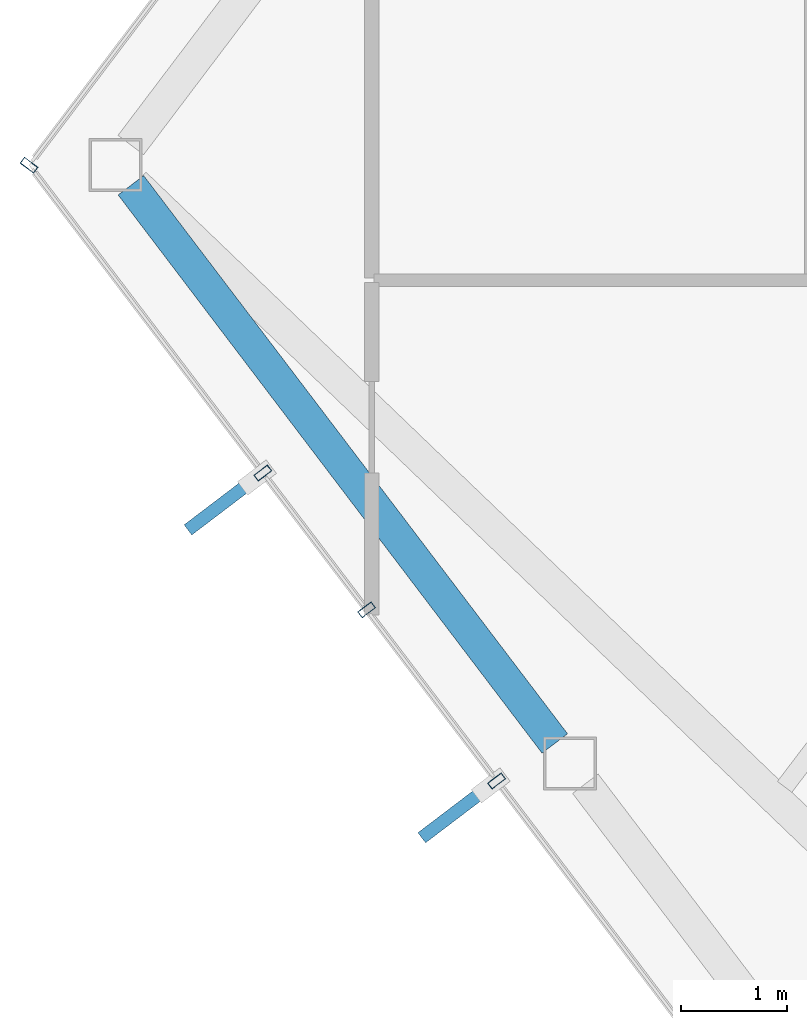
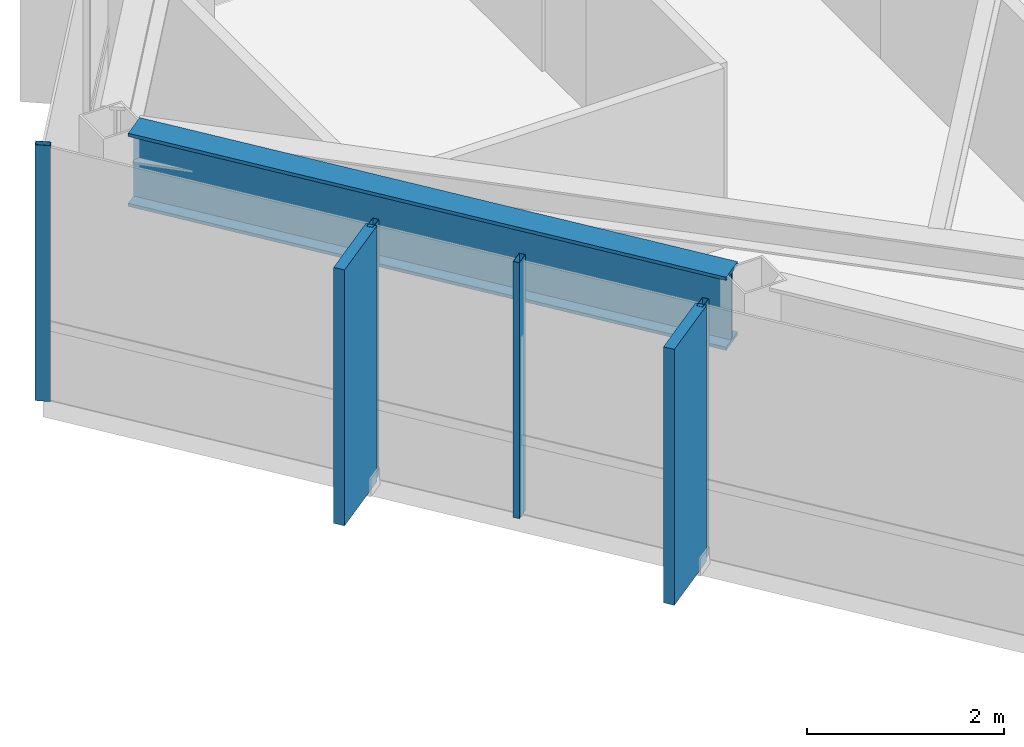
# One storey, part 8 of 24: 6 members, 1 beam, 2 elements without a shape of their own.
"""IFC4 building model written with IfcOpenShell, lengths in metres."""

from ifc_helpers import new_model, si_unit, direction, frame, origin, origin_2d, place, context, subcontext, project, spatial, rectangle, hollow_rectangle, i_section, extrude, material, layer, layer_set, material_profile, profile_set, type_object, element, aggregate, save


model = new_model("IFC4")

# Units and contexts
model_context = context("Model", 3, precision=1e-05, world=origin(), true_north=direction((0.0, 1.0)))
body_context = subcontext(model_context, "Body", "Model", "MODEL_VIEW")
ifc_project = project(units=[si_unit("LENGTHUNIT", "METRE"), si_unit("AREAUNIT", "SQUARE_METRE"), si_unit("VOLUMEUNIT", "CUBIC_METRE"), si_unit("PLANEANGLEUNIT", "RADIAN"), si_unit("MASSUNIT", "GRAM", prefix="KILO")], contexts=[model_context])

# Site, building, storey
site_placement = place(None, origin())
site = spatial("IfcSite", under=ifc_project, at=site_placement, CompositionType="ELEMENT")
building_placement = place(site_placement, origin())
building = spatial("IfcBuilding", under=site, at=building_placement, Name="Zarrinselat Tower", CompositionType="ELEMENT")
storey_placement = place(building_placement, frame((0.0, 0.0, 272.0)))
storey = spatial("IfcBuildingStorey", under=building, at=storey_placement, Name="L69", CompositionType="ELEMENT", Elevation=272.0)

# Beam
ifc_material_1 = material(Name="Steel S460M", Category="steel")
ifc_material_profile_1 = material_profile(ifc_material_1, i_section(OverallWidth=0.302001953125, OverallDepth=0.909912109375, WebThickness=0.02099609375, FlangeThickness=0.0400390625, at=origin_2d()), Name="HEM 900")
ifc_profile_set_1 = profile_set([ifc_material_profile_1], Name="Steel S460M")
beam_type = type_object("IfcBeamType", Name="BM-HEM900", PredefinedType="BEAM", material=ifc_profile_set_1)
beam_placement = place(storey_placement, frame((17.03466796875, 42.392578125, 2.72509765625), z_axis=(0.604794392137, -0.79638165677, 0.0), x_axis=(0.79638165677, 0.604794392137, 0.0)))
element("IfcBeam", 1, at=beam_placement, inside=storey, type_object=beam_type, Name="L69 Perimeter Spandrel Girder SP06", PredefinedType="BEAM", context=body_context, shape_type="SweptSolid", body=[
    extrude(i_section(OverallWidth=0.302001953125, OverallDepth=0.909912109375, WebThickness=0.02099609375, FlangeThickness=0.0400390625, at=origin_2d()), origin(), (0.0, 0.0, 1.0), 6.600830078125),
])

# Curtain wall, member
ifc_material_2 = material(Name="Extruded Aluminium Alloy EN AW-6063 T6", Category="aluminium")
ifc_layer = layer(ifc_material_2, 0.169921875)
ifc_layer_set = layer_set([ifc_layer], Name="Extruded Aluminium Alloy EN AW-6063 T6")
curtain_wall_type = type_object("IfcCurtainWallType", Name="CWS-RES", PredefinedType="NOTDEFINED", material=ifc_layer_set)
curtain_wall_1_placement = place(storey_placement, origin())
curtain_wall_1 = element("IfcCurtainWall", 2, at=curtain_wall_1_placement, inside=storey, type_object=curtain_wall_type, Name="L69 Unitised Curtain Wall CW-L69-E02", PredefinedType="NOTDEFINED")
ifc_material_3 = material(Name="Extruded Aluminium Alloy EN AW-6063 T6", Category="aluminium")
ifc_material_profile_2 = material_profile(ifc_material_3, hollow_rectangle(XDim=0.070068359375, YDim=0.159912109375, WallThickness=0.00390625, at=origin_2d()), Name="RHS 160x70x4")
ifc_profile_set_2 = profile_set([ifc_material_profile_2], Name="Extruded Aluminium Alloy EN AW-6063 T6")
member_type_1 = type_object("IfcMemberType", Name="MEM-CW-MUL2", PredefinedType="MULLION", material=ifc_profile_set_2)
member_1_placement = place(storey_placement, frame((16.0751953125, 42.581298828125, 0.0), z_axis=(0.0, 0.0, 1.0), x_axis=(-0.603180355329, -0.797604826305, 0.0)))
member_1 = element("IfcMember", 3, at=member_1_placement, type_object=member_type_1, Name="CW-L69-E02 Mullion 3", PredefinedType="MULLION", context=body_context, shape_type="SweptSolid", body=[
    extrude(hollow_rectangle(XDim=0.070068359375, YDim=0.159912109375, WallThickness=0.00390625, at=origin_2d()), origin(), (0.0, 0.0, 1.0), 3.179931640625),
])
aggregate(curtain_wall_1, [member_1])

# Curtain wall, members
curtain_wall_2_placement = place(storey_placement, origin())
curtain_wall_2 = element("IfcCurtainWall", 4, at=curtain_wall_2_placement, inside=storey, type_object=curtain_wall_type, Name="L69 Unitised Curtain Wall CW-L69-E03", PredefinedType="NOTDEFINED")
member_2_placement = place(storey_placement, frame((18.27685546875, 39.68212890625, 0.0), z_axis=(0.0, 0.0, 1.0), x_axis=(0.604787567266, -0.796386839721, 0.0)))
member_2 = element("IfcMember", 5, at=member_2_placement, type_object=member_type_1, Name="CW-L69-E03 Mullion 1", PredefinedType="MULLION", context=body_context, shape_type="SweptSolid", body=[
    extrude(hollow_rectangle(XDim=0.070068359375, YDim=0.159912109375, WallThickness=0.00390625, at=origin_2d()), origin(), (0.0, 0.0, 1.0), 3.179931640625),
])
member_3_placement = place(storey_placement, frame((19.25439453125, 38.394775390625, 0.0), z_axis=(0.0, 0.0, 1.0), x_axis=(0.604787567266, -0.796386839721, 0.0)))
member_3 = element("IfcMember", 6, at=member_3_placement, type_object=member_type_1, Name="CW-L69-E03 Mullion 2", PredefinedType="MULLION", context=body_context, shape_type="SweptSolid", body=[
    extrude(hollow_rectangle(XDim=0.070068359375, YDim=0.159912109375, WallThickness=0.00390625, at=origin_2d()), origin(), (0.0, 0.0, 1.0), 3.179931640625),
])
member_4_placement = place(storey_placement, frame((20.478515625, 36.783203125, 0.0), z_axis=(0.0, 0.0, 1.0), x_axis=(0.604787567266, -0.796386839721, 0.0)))
member_4 = element("IfcMember", 7, at=member_4_placement, type_object=member_type_1, Name="CW-L69-E03 Mullion 3", PredefinedType="MULLION", context=body_context, shape_type="SweptSolid", body=[
    extrude(hollow_rectangle(XDim=0.070068359375, YDim=0.159912109375, WallThickness=0.00390625, at=origin_2d()), origin(), (0.0, 0.0, 1.0), 3.179931640625),
])
ifc_material_4 = material(Name="Honed Cream Travertine Stone", Category="masonry")
ifc_material_profile_3 = material_profile(ifc_material_4, rectangle(XDim=0.1201171875, YDim=0.85009765625, at=origin_2d()), Name="FIN 850x120")
ifc_profile_set_3 = profile_set([ifc_material_profile_3], Name="Honed Cream Travertine Stone")
member_type_2 = type_object("IfcMemberType", Name="MEM-STONE-FIN", PredefinedType="USERDEFINED", material=ifc_profile_set_3)
member_5_placement = place(storey_placement, frame((17.910400390625, 39.404052734375, 0.0), z_axis=(0.0, 0.0, 1.0), x_axis=(-0.604787567266, 0.796386839721, 0.0)))
member_5 = element("IfcMember", 8, at=member_5_placement, type_object=member_type_2, Name="L69 Stone Shading Fin CW-L69-E03-01", ObjectType="FIN", PredefinedType="USERDEFINED", context=body_context, shape_type="SweptSolid", body=[
    extrude(rectangle(XDim=0.1201171875, YDim=0.85009765625, at=origin_2d()), origin(), (0.0, 0.0, 1.0), 3.179931640625),
])
member_6_placement = place(storey_placement, frame((20.112060546875, 36.5048828125, 0.0), z_axis=(0.0, 0.0, 1.0), x_axis=(-0.604787567266, 0.796386839721, 0.0)))
member_6 = element("IfcMember", 9, at=member_6_placement, type_object=member_type_2, Name="L69 Stone Shading Fin CW-L69-E03-03", ObjectType="FIN", PredefinedType="USERDEFINED", context=body_context, shape_type="SweptSolid", body=[
    extrude(rectangle(XDim=0.1201171875, YDim=0.85009765625, at=origin_2d()), origin(), (0.0, 0.0, 1.0), 3.179931640625),
])
aggregate(curtain_wall_2, [member_2, member_5, member_3, member_4, member_6])

save(model, "model.ifc")
